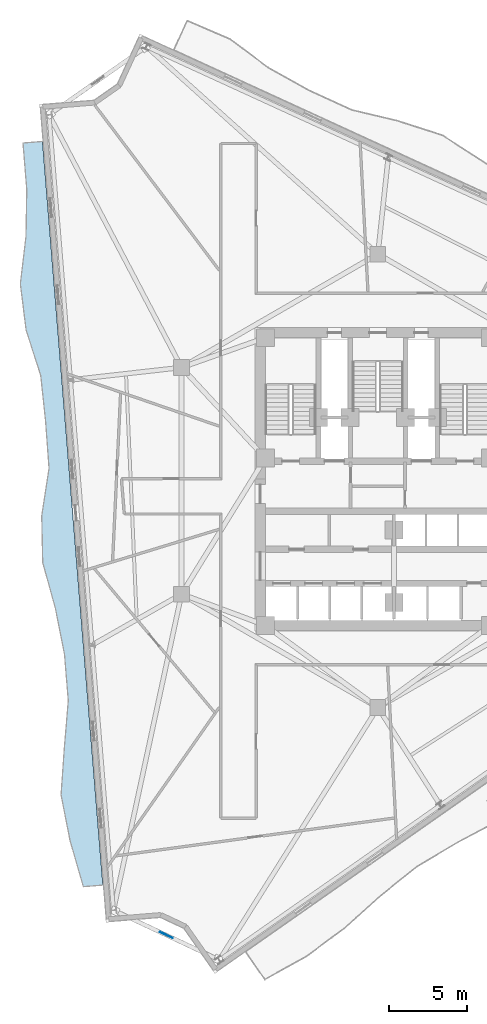
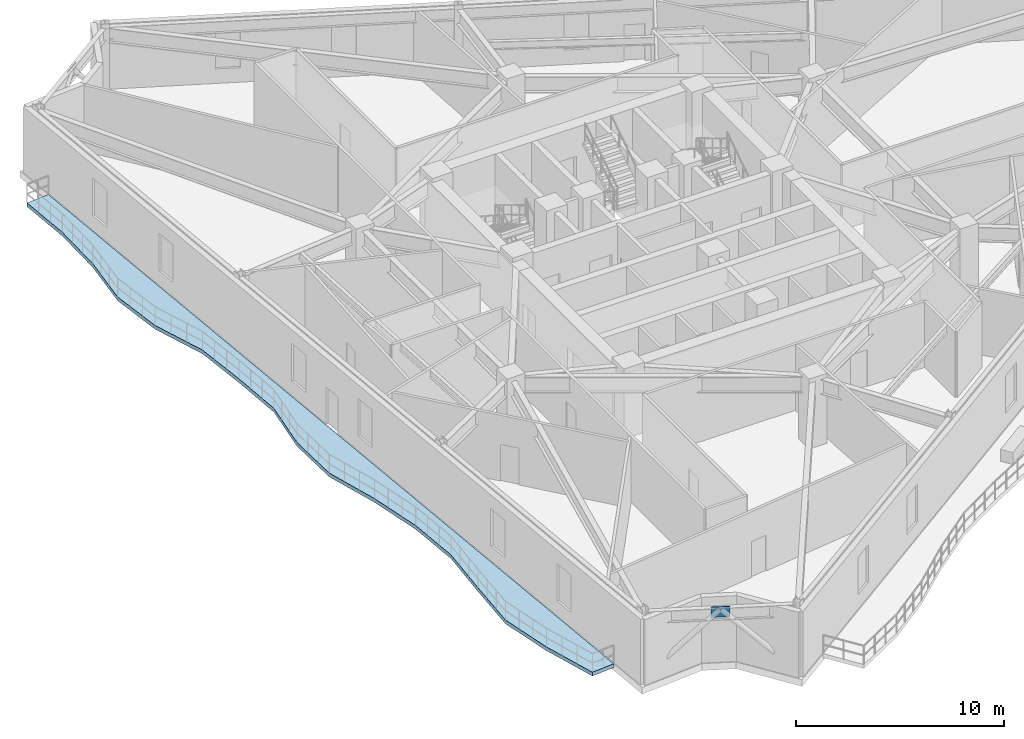
# One storey, part 4 of 14: 1 plate, 1 slab.
"""IFC4 building model written with IfcOpenShell, lengths in metres."""

import ifcopenshell
import ifcopenshell.guid

model = None  # the IFC model being written
_history = None  # IfcOwnerHistory: only IFC2X3 demands one
_inside = {}  # id of a spatial element -> (the spatial element, [elements in it])
_under = {}  # id of a project, library or spatial element -> (it, [spatial elements below it])
_declared = {}  # id of a project -> (the project, [libraries it declares])
_typed = {}  # id of a type object -> (the type object, [elements of that type])
_made_of = {}  # id of a material, layer set ... -> (it, [elements and type objects made of it])


def new_model(schema):
    """Start an empty IFC model of exactly this schema.

    Asked for "IFC4X3", IfcOpenShell would pick the latest addendum, in which some entities
    have other attributes; the version numbers below select the first issue.
    IFC2X3 requires an IfcOwnerHistory on every rooted entity: one is made here for all.
    """
    global model, _history
    if schema == "IFC4X3":
        model = ifcopenshell.file(schema_version=(4, 3, 0, 0))
    else:
        model = ifcopenshell.file(schema=schema)
    _inside.clear()
    _under.clear()
    _declared.clear()
    _typed.clear()
    _made_of.clear()
    _history = None
    if model.schema == "IFC2X3":
        org = make("IfcOrganization", Name="unknown")
        user = make(
            "IfcPersonAndOrganization",
            ThePerson=make("IfcPerson", FamilyName="unknown"),
            TheOrganization=org,
        )
        app = make(
            "IfcApplication",
            ApplicationDeveloper=org,
            Version="unknown",
            ApplicationFullName="unknown",
            ApplicationIdentifier="unknown",
        )
        _history = make(
            "IfcOwnerHistory",
            OwningUser=user,
            OwningApplication=app,
            ChangeAction="ADDED",
            CreationDate=0,
        )
    return model


def make(cls, **values):
    """One entity of the class cls with the attributes given. An attribute that is None is left unset."""
    return model.create_entity(
        cls, **{name: value for name, value in values.items() if value is not None}
    )


def rooted(cls, **values):
    """An entity with a GlobalId (a new one), such as an element, a storey or a relation."""
    return make(cls, GlobalId=ifcopenshell.guid.new(), OwnerHistory=_history, **values)


def si_unit(unit_type, name, prefix=None):
    """IfcSIUnit, for example si_unit("LENGTHUNIT", "METRE", prefix="MILLI")."""
    return make("IfcSIUnit", UnitType=unit_type, Prefix=prefix, Name=name)


def assignment(units):
    """IfcUnitAssignment: the units of a project."""
    return None if units is None else make("IfcUnitAssignment", Units=units)


def point(xyz):
    """IfcCartesianPoint."""
    return None if xyz is None else make("IfcCartesianPoint", Coordinates=xyz)


def direction(xyz):
    """IfcDirection."""
    return None if xyz is None else make("IfcDirection", DirectionRatios=xyz)


def frame(location, z_axis=None, x_axis=None):
    """IfcAxis2Placement3D, a coordinate frame: its origin and axes. An axis left out is left unset."""
    return make(
        "IfcAxis2Placement3D",
        Location=point(location),
        Axis=direction(z_axis),
        RefDirection=direction(x_axis),
    )


def frame_2d(location, x_axis=None):
    """IfcAxis2Placement2D, a coordinate frame in the plane: its origin and x axis."""
    return make(
        "IfcAxis2Placement2D", Location=point(location), RefDirection=direction(x_axis)
    )


def origin():
    """The frame at (0, 0, 0) with its axes left unset."""
    return frame((0.0, 0.0, 0.0))


def origin_2d():
    """The frame at (0, 0) in the plane with its x axis left unset."""
    return frame_2d((0.0, 0.0))


def place(relative_to, where):
    """IfcLocalPlacement: puts the frame where relative to a parent placement (None: the world)."""
    return make(
        "IfcLocalPlacement", PlacementRelTo=relative_to, RelativePlacement=where
    )


def context(
    kind, dimensions, precision=None, world=None, true_north=None, identifier=None
):
    """IfcGeometricRepresentationContext, for example the 3D "Model" context."""
    return make(
        "IfcGeometricRepresentationContext",
        ContextIdentifier=identifier,
        ContextType=kind,
        CoordinateSpaceDimension=dimensions,
        Precision=precision,
        WorldCoordinateSystem=world,
        TrueNorth=true_north,
    )


def subcontext(parent, identifier, kind, view, scale=None):
    """IfcGeometricRepresentationSubContext, for example "Body" below "Model"."""
    return make(
        "IfcGeometricRepresentationSubContext",
        ContextIdentifier=identifier,
        ContextType=kind,
        ParentContext=parent,
        TargetScale=scale,
        TargetView=view,
    )


def project(units=None, contexts=None):
    """IfcProject with its units and contexts."""
    return rooted(
        "IfcProject",
        Name="project",
        RepresentationContexts=contexts,
        UnitsInContext=assignment(units),
    )


def spatial(cls, under=None, at=None, **own):
    """A site, building, storey or space (cls), placed at a placement, below another one or the project."""
    s = rooted(cls, ObjectPlacement=at, **own)
    if under is not None:
        _under.setdefault(under.id(), (under, []))[1].append(s)
    return s


def polyline(points):
    """IfcPolyline through the points."""
    return make("IfcPolyline", Points=[point(p) for p in points])


def profile(cls, at=None, kind="AREA", **sizes):
    """A parametric profile (cls). Its sizes go by their IFC names, for example OverallWidth=200.0."""
    return make(cls, ProfileType=kind, Position=at, **sizes)


def rectangle(**sizes):
    """IfcRectangleProfileDef."""
    return profile("IfcRectangleProfileDef", **sizes)


def outline(outer, holes=None, kind="AREA"):
    """IfcArbitraryClosedProfileDef: a profile drawn as a closed curve; with holes, ...WithVoids."""
    if holes is None:
        return make("IfcArbitraryClosedProfileDef", ProfileType=kind, OuterCurve=outer)
    return make(
        "IfcArbitraryProfileDefWithVoids",
        ProfileType=kind,
        OuterCurve=outer,
        InnerCurves=holes,
    )


def extrude(swept, where, along, depth):
    """IfcExtrudedAreaSolid: the profile swept, set in the frame where, extruded along a direction by depth."""
    return make(
        "IfcExtrudedAreaSolid",
        SweptArea=swept,
        Position=where,
        ExtrudedDirection=direction(along),
        Depth=depth,
    )


def shape(context_of_items, identifier, shape_type, items):
    """IfcShapeRepresentation: the items that make up one representation, for example the "Body"."""
    return make(
        "IfcShapeRepresentation",
        ContextOfItems=context_of_items,
        RepresentationIdentifier=identifier,
        RepresentationType=shape_type,
        Items=items,
    )


def material(Name=None, Category=None):
    """IfcMaterial."""
    return make("IfcMaterial", Name=Name, Category=Category)


def layer(
    of_material, thickness, ventilated=None, Name=None, Category=None, Priority=None
):
    """IfcMaterialLayer: one layer of a wall or slab, of a material (None: an air gap)."""
    return make(
        "IfcMaterialLayer",
        Material=of_material,
        LayerThickness=thickness,
        IsVentilated=ventilated,
        Name=Name,
        Category=Category,
        Priority=Priority,
    )


def layer_set(layers, Name=None):
    """IfcMaterialLayerSet."""
    return make("IfcMaterialLayerSet", MaterialLayers=layers, LayerSetName=Name)


def made_of(thing, what):
    """Note that an element or type object is made of a material, layer set ...; save() writes the relation."""
    if what is not None:
        _made_of.setdefault(what.id(), (what, []))[1].append(thing)
    return thing


def type_object(cls, material=None, **own):
    """A type object (cls), such as IfcWallType, which elements share."""
    return made_of(rooted(cls, **own), material)


def element(
    cls,
    number,
    at=None,
    inside=None,
    cuts=None,
    type_object=None,
    material=None,
    context=None,
    identifier="Body",
    shape_type=None,
    held_by="IfcProductDefinitionShape",
    body=None,
    shapes=None,
    **own,
):
    """One element of the class cls, such as IfcWall. Its Tag is "e" and its number.

    at: its placement. inside: the storey or other place that contains it. cuts: it is an
    opening in that element (IfcRelVoidsElement). A single representation is given by context,
    identifier, shape_type and body (its items); several are given by shapes. held_by: the class
    of the entity that holds the representations. save() writes the other relations.
    """
    e = rooted(cls, Tag="e%d" % number, ObjectPlacement=at, **own)
    if body is not None:
        shapes = [shape(context, identifier, shape_type, body)]
    if shapes is not None:
        e.Representation = make(held_by, Representations=shapes)
    if inside is not None:
        _inside.setdefault(inside.id(), (inside, []))[1].append(e)
    if cuts is not None:
        rooted(
            "IfcRelVoidsElement", RelatingBuildingElement=cuts, RelatedOpeningElement=e
        )
    if type_object is not None:
        _typed.setdefault(type_object.id(), (type_object, []))[1].append(e)
    return made_of(e, material)


def aggregate(whole, parts):
    """IfcRelAggregates: a whole, such as a stair, and the parts it consists of."""
    return rooted("IfcRelAggregates", RelatingObject=whole, RelatedObjects=parts)


def save(model, path):
    """Write the relations noted so far, then the file.

    IfcRelAggregates (storeys below a building ...), IfcRelContainedInSpatialStructure (elements
    in a storey), IfcRelDefinesByType, IfcRelAssociatesMaterial and IfcRelDeclares: one each for
    every whole, place, type object, material and project.
    """
    for whole, parts in _under.values():
        aggregate(whole, parts)
    for where, things in _inside.values():
        rooted(
            "IfcRelContainedInSpatialStructure",
            RelatedElements=things,
            RelatingStructure=where,
        )
    for kind, things in _typed.values():
        rooted("IfcRelDefinesByType", RelatedObjects=things, RelatingType=kind)
    for what, things in _made_of.values():
        rooted("IfcRelAssociatesMaterial", RelatedObjects=things, RelatingMaterial=what)
    for by, libraries in _declared.values():
        rooted("IfcRelDeclares", RelatingContext=by, RelatedDefinitions=libraries)
    model.write(path)


model = new_model("IFC4")

# Units and contexts
model_context = context("Model", 3, precision=1e-05, world=origin(), true_north=direction((0.0, 1.0)))
body_context = subcontext(model_context, "Body", "Model", "MODEL_VIEW")
ifc_project = project(units=[si_unit("LENGTHUNIT", "METRE"), si_unit("AREAUNIT", "SQUARE_METRE"), si_unit("VOLUMEUNIT", "CUBIC_METRE"), si_unit("PLANEANGLEUNIT", "RADIAN"), si_unit("MASSUNIT", "GRAM", prefix="KILO")], contexts=[model_context])

# Site, building, storey
site_placement = place(None, origin())
site = spatial("IfcSite", under=ifc_project, at=site_placement, CompositionType="ELEMENT")
building_placement = place(site_placement, origin())
building = spatial("IfcBuilding", under=site, at=building_placement, Name="Apsidion Concourse Tower", CompositionType="ELEMENT")
storey_placement = place(building_placement, frame((0.0, 0.0, 194.199951171875)))
storey = spatial("IfcBuildingStorey", under=building, at=storey_placement, Name="L45", CompositionType="ELEMENT", Elevation=194.199951171875)

# Plate
ifc_material_1 = material(Name="Structural steel ASTM A572 Grade 50", Category="steel")
ifc_layer_1 = layer(ifc_material_1, 0.0400390625)
ifc_layer_set_1 = layer_set([ifc_layer_1], Name="Structural steel ASTM A572 Grade 50")
plate_type = type_object("IfcPlateType", Name="PL-GUSSET-40", PredefinedType="SHEET", material=ifc_layer_set_1)
plate_placement = place(storey_placement, frame((-13.52978515625, -29.064208984375, 3.27001953125), z_axis=(0.0, 0.0, 1.0), x_axis=(-0.904975622348, 0.425463421407, 0.0)))
element("IfcPlate", 1, at=plate_placement, inside=storey, type_object=plate_type, Name="L45 Chevron Apex Node Gusset Plate KNA-1", PredefinedType="SHEET", context=body_context, shape_type="SweptSolid", body=[
    extrude(rectangle(XDim=0.89990234375, YDim=0.0400390625, at=origin_2d()), origin(), (0.0, 0.0, 1.0), 0.60009765625),
])

# Slab
ifc_material_2 = material(Name="Concrete C50/60", Category="concrete")
ifc_layer_2 = layer(ifc_material_2, 0.219970703125)
ifc_layer_set_2 = layer_set([ifc_layer_2], Name="Concrete C50/60")
slab_type = type_object("IfcSlabType", Name="SL-BAL-220", PredefinedType="FLOOR", material=ifc_layer_set_2)
slab_placement = place(storey_placement, frame((0.0, 0.0, -0.219970703125)))
element("IfcSlab", 2, at=slab_placement, inside=storey, type_object=slab_type, Name="L45 Face 1 Rippling Balcony Slab", PredefinedType="FLOOR", context=body_context, shape_type="SweptSolid", body=[
    extrude(outline(polyline([(-21.455810546875, 21.7080078125), (-21.21435546875, 18.73486328125), (-20.972900390625, 15.76171875), (-20.7314453125, 12.788330078125), (-20.489990234375, 9.815185546875), (-20.248779296875, 6.842041015625), (-20.00732421875, 3.868896484375), (-19.765869140625, 0.8955078125), (-19.5244140625, -2.07763671875), (-19.283203125, -5.05078125), (-19.041748046875, -8.024169921875), (-18.80029296875, -10.997314453125), (-18.558837890625, -13.970458984375), (-18.3173828125, -16.943603515625), (-18.075927734375, -19.9169921875), (-17.834716796875, -22.89013671875), (-17.59326171875, -25.86328125), (-18.839111328125, -25.96435546875), (-19.68603515625, -23.040283203125), (-20.26611328125, -20.0947265625), (-20.057373046875, -17.0849609375), (-19.8046875, -14.071533203125), (-20.046142578125, -11.098388671875), (-20.6298828125, -8.153076171875), (-21.4404296875, -5.22607421875), (-21.50244140625, -2.23828125), (-21.03515625, 0.79248046875), (-21.253173828125, 3.767578125), (-21.56591796875, 6.735107421875), (-22.505126953125, 9.651611328125), (-22.869873046875, 12.61474609375), (-22.50927734375, 15.63671875), (-22.460205078125, 18.633544921875), (-22.70166015625, 21.606689453125), (-21.455810546875, 21.7080078125)])), origin(), (0.0, 0.0, 1.0), 0.219970703125),
])

save(model, "model.ifc")
